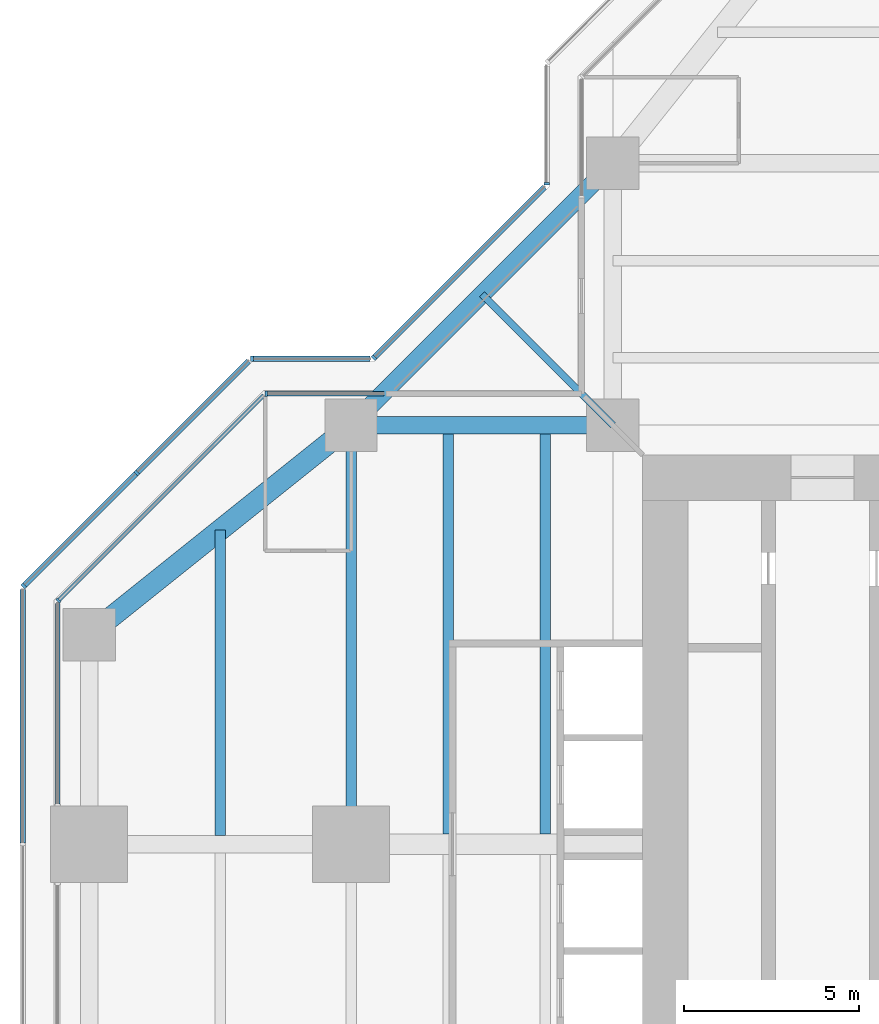
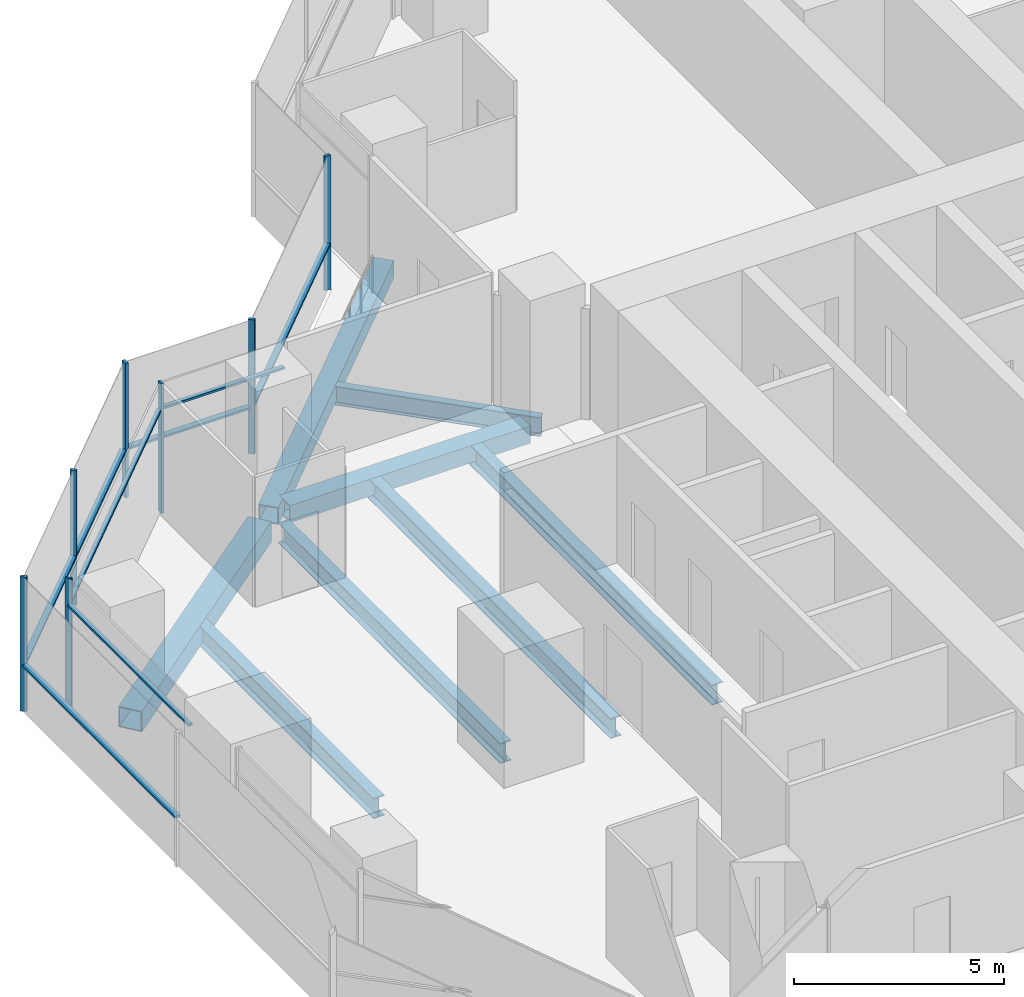
# One storey, part 6 of 17: 15 members, 8 beams, 8 elements without a shape of their own.
"""IFC4 building model written with IfcOpenShell, lengths in metres."""

from ifc_helpers import new_model, si_unit, direction, frame, origin, origin_2d, place, context, subcontext, project, spatial, rectangle, hollow_rectangle, i_section, extrude, material, material_profile, profile_set, type_object, element, aggregate, save


model = new_model("IFC4")

# Units and contexts
model_context = context("Model", 3, precision=1e-05, world=origin(), true_north=direction((0.0, 1.0)))
body_context = subcontext(model_context, "Body", "Model", "MODEL_VIEW")
ifc_project = project(units=[si_unit("LENGTHUNIT", "METRE"), si_unit("AREAUNIT", "SQUARE_METRE"), si_unit("VOLUMEUNIT", "CUBIC_METRE"), si_unit("PLANEANGLEUNIT", "RADIAN"), si_unit("MASSUNIT", "GRAM", prefix="KILO")], contexts=[model_context])

# Site, building, storey
site_placement = place(None, origin())
site = spatial("IfcSite", under=ifc_project, at=site_placement, CompositionType="ELEMENT")
building_placement = place(site_placement, origin())
building = spatial("IfcBuilding", under=site, at=building_placement, Name="Mizan Broadcast Tower", CompositionType="ELEMENT")
storey_placement = place(building_placement, frame((0.0, 0.0, 212.699951171875)))
storey = spatial("IfcBuildingStorey", under=building, at=storey_placement, Name="L49", CompositionType="ELEMENT", Elevation=212.699951171875)

# Beams
ifc_material_1 = material(Name="Steel S355", Category="steel")
ifc_material_profile_1 = material_profile(ifc_material_1, hollow_rectangle(XDim=0.5, YDim=0.5, WallThickness=0.030029296875, at=origin_2d()), Name="BOX 500x500x30")
ifc_profile_set_1 = profile_set([ifc_material_profile_1], Name="Steel S355")
beam_type_1 = type_object("IfcBeamType", Name="EDGE BEAM BOX 500x500x30", PredefinedType="SPANDREL", material=ifc_profile_set_1)
beam_1_placement = place(storey_placement, frame((-12.449951171875, 12.0, -0.3798828125), z_axis=(-1.0, 0.0, 0.0), x_axis=(0.0, -1.0, 0.0)))
element("IfcBeam", 1, at=beam_1_placement, inside=storey, type_object=beam_type_1, Name="Edge beam BOX 500x500x30 L49 west arm", PredefinedType="SPANDREL", context=body_context, shape_type="SweptSolid", body=[
    extrude(hollow_rectangle(XDim=0.5, YDim=0.5, WallThickness=0.030029296875, at=origin_2d()), origin(), (0.0, 0.0, 1.0), 6.60009765625),
])
beam_2_placement = place(storey_placement, frame((-12.0, 19.5, -0.3798828125), z_axis=(-0.707106781187, -0.707106781187, 0.0), x_axis=(0.707106781187, -0.707106781187, 0.0)))
element("IfcBeam", 2, at=beam_2_placement, inside=storey, type_object=beam_type_1, Name="Winter garden edge beam L49 N", PredefinedType="SPANDREL", context=body_context, shape_type="SweptSolid", body=[
    extrude(hollow_rectangle(XDim=0.5, YDim=0.5, WallThickness=0.030029296875, at=origin_2d()), origin(), (0.0, 0.0, 1.0), 10.606689453125),
])
ifc_material_2 = material(Name="Steel S355", Category="steel")
ifc_material_profile_2 = material_profile(ifc_material_2, hollow_rectangle(XDim=0.60009765625, YDim=0.60009765625, WallThickness=0.030029296875, at=origin_2d()), Name="BOX 600x600x30")
ifc_profile_set_2 = profile_set([ifc_material_profile_2], Name="Steel S355")
beam_type_2 = type_object("IfcBeamType", Name="EDGE BEAM BOX 600x600x30", PredefinedType="SPANDREL", material=ifc_profile_set_2)
beam_3_placement = place(storey_placement, frame((-19.949951171875, 11.639892578125, -0.429931640625), z_axis=(-0.780885717636, -0.624673911726, 0.0), x_axis=(0.624673911726, -0.780885717636, 0.0)))
element("IfcBeam", 3, at=beam_3_placement, inside=storey, type_object=beam_type_2, Name="Edge beam BOX 600x600x30 L49 west arm", PredefinedType="SPANDREL", context=body_context, shape_type="SweptSolid", body=[
    extrude(hollow_rectangle(XDim=0.60009765625, YDim=0.60009765625, WallThickness=0.030029296875, at=origin_2d()), origin(), (0.0, 0.0, 1.0), 8.4521484375),
])
ifc_material_3 = material(Name="Steel S355", Category="steel")
ifc_material_profile_3 = material_profile(ifc_material_3, i_section(OverallWidth=0.300048828125, OverallDepth=0.590087890625, WebThickness=0.012939453125, FlangeThickness=0.02490234375, FilletRadius=0.027099609375, at=origin_2d()), Name="HEA 600")
ifc_profile_set_3 = profile_set([ifc_material_profile_3], Name="Steel S355")
beam_type_3 = type_object("IfcBeamType", Name="GIRDER HEA 600", PredefinedType="BEAM", material=ifc_profile_set_3)
beam_4_placement = place(storey_placement, frame((-19.5, 11.280029296875, -0.425048828125), z_axis=(0.0, -1.0, 0.0), x_axis=(1.0, 0.0, 0.0)))
element("IfcBeam", 4, at=beam_4_placement, inside=storey, type_object=beam_type_3, Name="Girder HEA 600 L49 west arm", PredefinedType="BEAM", context=body_context, shape_type="SweptSolid", body=[
    extrude(i_section(OverallWidth=0.300048828125, OverallDepth=0.590087890625, WebThickness=0.012939453125, FlangeThickness=0.02490234375, FilletRadius=0.027099609375, at=origin_2d()), origin(), (0.0, 0.0, 1.0), 10.56005859375),
])

# Curtain wall, member
ifc_material_4 = material(Name="Aluminium framed glazing", Category="aluminium")
curtain_wall_type_1 = type_object("IfcCurtainWallType", Name="INNER SKIN HIGH ZONE", PredefinedType="USERDEFINED", material=ifc_material_4)
curtain_wall_1_placement = place(storey_placement, origin())
curtain_wall_1 = element("IfcCurtainWall", 5, at=curtain_wall_1_placement, inside=storey, type_object=curtain_wall_type_1, Name="Inner skin high zone L49 W side", ObjectType="INNER SKIN HIGH ZONE", PredefinedType="USERDEFINED")
ifc_material_5 = material(Name="Aluminium, pale anodised", Category="aluminium")
ifc_material_profile_4 = material_profile(ifc_material_5, rectangle(XDim=0.159912109375, YDim=0.06005859375, at=origin_2d()), Name="MULLION 160x60")
ifc_profile_set_4 = profile_set([ifc_material_profile_4], Name="Aluminium, pale anodised")
member_type_1 = type_object("IfcMemberType", Name="INNER SKIN MULLION 60x160", PredefinedType="MULLION", material=ifc_profile_set_4)
member_1_placement = place(storey_placement, frame((-21.928466796875, 12.89990234375, 0.0), z_axis=(0.0, 0.0, 1.0), x_axis=(0.0, -1.0, 0.0)))
member_1 = element("IfcMember", 6, at=member_1_placement, type_object=member_type_1, Name="Inner skin high zone L49 W side mullion 2", PredefinedType="MULLION", context=body_context, shape_type="SweptSolid", body=[
    extrude(rectangle(XDim=0.159912109375, YDim=0.06005859375, at=origin_2d()), origin(), (0.0, 0.0, 1.0), 3.77001953125),
])

curtain_wall_2_placement = place(storey_placement, origin())
curtain_wall_2 = element("IfcCurtainWall", 7, at=curtain_wall_2_placement, inside=storey, type_object=curtain_wall_type_1, Name="Inner skin high zone L49 W chamfer", ObjectType="INNER SKIN HIGH ZONE", PredefinedType="USERDEFINED")
member_2_placement = place(storey_placement, frame((-27.87890625, 6.979736328125, 0.0), z_axis=(0.0, 0.0, 1.0), x_axis=(0.707106781187, -0.707106781187, 0.0)))
member_2 = element("IfcMember", 8, at=member_2_placement, type_object=member_type_1, Name="Inner skin high zone L49 W chamfer mullion 2", PredefinedType="MULLION", context=body_context, shape_type="SweptSolid", body=[
    extrude(rectangle(XDim=0.159912109375, YDim=0.06005859375, at=origin_2d()), origin(), (0.0, 0.0, 1.0), 3.77001953125),
])

# Member
ifc_material_6 = material(Name="Aluminium, pale anodised", Category="aluminium")
ifc_material_profile_5 = material_profile(ifc_material_6, rectangle(XDim=0.1201171875, YDim=0.06005859375, at=origin_2d()), Name="TRANSOM 120x60")
ifc_profile_set_5 = profile_set([ifc_material_profile_5], Name="Aluminium, pale anodised")
member_type_2 = type_object("IfcMemberType", Name="INNER SKIN TRANSOM 60x120", PredefinedType="USERDEFINED", material=ifc_profile_set_5)
member_3_placement = place(storey_placement, frame((-18.56005859375, 12.89990234375, 3.030029296875), z_axis=(-1.0, 0.0, 0.0), x_axis=(0.0, -1.0, 0.0)))
member_3 = element("IfcMember", 9, at=member_3_placement, type_object=member_type_2, Name="Inner skin high zone L49 W side transom 1.1", ObjectType="TRANSOM", PredefinedType="USERDEFINED", context=body_context, shape_type="SweptSolid", body=[
    extrude(rectangle(XDim=0.1201171875, YDim=0.06005859375, at=origin_2d()), origin(), (0.0, 0.0, 1.0), 3.338623046875),
])

aggregate(curtain_wall_1, [member_1, member_3])

member_4_placement = place(storey_placement, frame((-22.0009765625, 12.857666015625, 3.030029296875), z_axis=(-0.707106781187, -0.707106781187, 0.0), x_axis=(0.707106781187, -0.707106781187, 0.0)))
member_4 = element("IfcMember", 10, at=member_4_placement, type_object=member_type_2, Name="Inner skin high zone L49 W chamfer transom 1.1", ObjectType="TRANSOM", PredefinedType="USERDEFINED", context=body_context, shape_type="SweptSolid", body=[
    extrude(rectangle(XDim=0.1201171875, YDim=0.06005859375, at=origin_2d()), origin(), (0.0, 0.0, 1.0), 8.28271484375),
])

aggregate(curtain_wall_2, [member_2, member_4])

# Curtain wall, member
curtain_wall_3_placement = place(storey_placement, origin())
curtain_wall_3 = element("IfcCurtainWall", 11, at=curtain_wall_3_placement, inside=storey, type_object=curtain_wall_type_1, Name="Inner skin high zone L49 W end", ObjectType="INNER SKIN HIGH ZONE", PredefinedType="USERDEFINED")
member_5_placement = place(storey_placement, frame((-27.89990234375, 6.898681640625, 3.030029296875), z_axis=(0.0, -1.0, 0.0), x_axis=(1.0, 0.0, 0.0)))
member_5 = element("IfcMember", 12, at=member_5_placement, type_object=member_type_2, Name="Inner skin high zone L49 W end transom 1.1", ObjectType="TRANSOM", PredefinedType="USERDEFINED", context=body_context, shape_type="SweptSolid", body=[
    extrude(rectangle(XDim=0.1201171875, YDim=0.06005859375, at=origin_2d()), origin(), (0.0, 0.0, 1.0), 5.73876953125),
])
aggregate(curtain_wall_3, [member_5])

ifc_material_7 = material(Name="Aluminium framed glazing", Category="aluminium")
curtain_wall_type_2 = type_object("IfcCurtainWallType", Name="OUTER SKIN", PredefinedType="USERDEFINED", material=ifc_material_7)
curtain_wall_4_placement = place(storey_placement, origin())
curtain_wall_4 = element("IfcCurtainWall", 13, at=curtain_wall_4_placement, inside=storey, type_object=curtain_wall_type_2, Name="Outer skin L49 N side", ObjectType="OUTER SKIN", PredefinedType="USERDEFINED")
ifc_material_8 = material(Name="Aluminium, pale anodised", Category="aluminium")
ifc_material_profile_6 = material_profile(ifc_material_8, rectangle(XDim=0.159912109375, YDim=0.080078125, at=origin_2d()), Name="MULLION 160x80")
ifc_profile_set_6 = profile_set([ifc_material_profile_6], Name="Aluminium, pale anodised")
member_type_3 = type_object("IfcMemberType", Name="OUTER SKIN MULLION 80x160", PredefinedType="MULLION", material=ifc_profile_set_6)
member_6_placement = place(storey_placement, frame((-13.89990234375, 18.912841796875, 0.0), z_axis=(0.0, 0.0, 1.0), x_axis=(1.0, 0.0, 0.0)))
member_6 = element("IfcMember", 14, at=member_6_placement, type_object=member_type_3, Name="Outer skin L49 N side mullion 2", PredefinedType="MULLION", context=body_context, shape_type="SweptSolid", body=[
    extrude(rectangle(XDim=0.159912109375, YDim=0.080078125, at=origin_2d()), origin(), (0.0, 0.0, 1.0), 3.900146484375),
])
aggregate(curtain_wall_4, [member_6])

curtain_wall_5_placement = place(storey_placement, origin())
curtain_wall_5 = element("IfcCurtainWall", 15, at=curtain_wall_5_placement, inside=storey, type_object=curtain_wall_type_2, Name="Outer skin L49 W chamfer", ObjectType="OUTER SKIN", PredefinedType="USERDEFINED")
member_7_placement = place(storey_placement, frame((-18.844482421875, 13.92822265625, 0.0), z_axis=(0.0, 0.0, 1.0), x_axis=(0.707106781187, -0.707106781187, 0.0)))
member_7 = element("IfcMember", 16, at=member_7_placement, type_object=member_type_3, Name="Outer skin L49 W chamfer mullion 2", PredefinedType="MULLION", context=body_context, shape_type="SweptSolid", body=[
    extrude(rectangle(XDim=0.159912109375, YDim=0.080078125, at=origin_2d()), origin(), (0.0, 0.0, 1.0), 3.900146484375),
])

curtain_wall_6_placement = place(storey_placement, origin())
curtain_wall_6 = element("IfcCurtainWall", 17, at=curtain_wall_6_placement, inside=storey, type_object=curtain_wall_type_2, Name="Outer skin L49 W side", ObjectType="OUTER SKIN", PredefinedType="USERDEFINED")
member_8_placement = place(storey_placement, frame((-22.332763671875, 13.89990234375, 0.0), z_axis=(0.0, 0.0, 1.0), x_axis=(0.0, -1.0, 0.0)))
member_8 = element("IfcMember", 18, at=member_8_placement, type_object=member_type_3, Name="Outer skin L49 W side mullion 2", PredefinedType="MULLION", context=body_context, shape_type="SweptSolid", body=[
    extrude(rectangle(XDim=0.159912109375, YDim=0.080078125, at=origin_2d()), origin(), (0.0, 0.0, 1.0), 3.900146484375),
])

# Curtain wall, members
curtain_wall_7_placement = place(storey_placement, origin())
curtain_wall_7 = element("IfcCurtainWall", 19, at=curtain_wall_7_placement, inside=storey, type_object=curtain_wall_type_2, Name="Outer skin L49 W chamfer", ObjectType="OUTER SKIN", PredefinedType="USERDEFINED")
member_9_placement = place(storey_placement, frame((-25.636474609375, 10.636474609375, 0.0), z_axis=(0.0, 0.0, 1.0), x_axis=(0.707106781187, -0.707106781187, 0.0)))
member_9 = element("IfcMember", 20, at=member_9_placement, type_object=member_type_3, Name="Outer skin L49 W chamfer mullion 2", PredefinedType="MULLION", context=body_context, shape_type="SweptSolid", body=[
    extrude(rectangle(XDim=0.159912109375, YDim=0.080078125, at=origin_2d()), origin(), (0.0, 0.0, 1.0), 3.900146484375),
])
member_10_placement = place(storey_placement, frame((-28.871826171875, 7.401123046875, 0.0), z_axis=(0.0, 0.0, 1.0), x_axis=(0.707106781187, -0.707106781187, 0.0)))
member_10 = element("IfcMember", 21, at=member_10_placement, type_object=member_type_3, Name="Outer skin L49 W chamfer mullion 3", PredefinedType="MULLION", context=body_context, shape_type="SweptSolid", body=[
    extrude(rectangle(XDim=0.159912109375, YDim=0.080078125, at=origin_2d()), origin(), (0.0, 0.0, 1.0), 3.900146484375),
])

# Member
ifc_material_9 = material(Name="Aluminium, pale anodised", Category="aluminium")
ifc_material_profile_7 = material_profile(ifc_material_9, rectangle(XDim=0.159912109375, YDim=0.06005859375, at=origin_2d()), Name="TRANSOM 160x60")
ifc_profile_set_7 = profile_set([ifc_material_profile_7], Name="Aluminium, pale anodised")
member_type_4 = type_object("IfcMemberType", Name="OUTER SKIN TRANSOM 60x160", PredefinedType="USERDEFINED", material=ifc_profile_set_7)
member_11_placement = place(storey_placement, frame((-13.95654296875, 18.816162109375, 1.400146484375), z_axis=(-0.707106781187, -0.707106781187, 0.0), x_axis=(0.707106781187, -0.707106781187, 0.0)))
member_11 = element("IfcMember", 22, at=member_11_placement, type_object=member_type_4, Name="Outer skin L49 W chamfer transom 1.1", ObjectType="TRANSOM", PredefinedType="USERDEFINED", context=body_context, shape_type="SweptSolid", body=[
    extrude(rectangle(XDim=0.159912109375, YDim=0.06005859375, at=origin_2d()), origin(), (0.0, 0.0, 1.0), 6.87255859375),
])

aggregate(curtain_wall_5, [member_7, member_11])

member_12_placement = place(storey_placement, frame((-18.952880859375, 13.89990234375, 1.400146484375), z_axis=(-1.0, 0.0, 0.0), x_axis=(0.0, -1.0, 0.0)))
member_12 = element("IfcMember", 23, at=member_12_placement, type_object=member_type_4, Name="Outer skin L49 W side transom 1.1", ObjectType="TRANSOM", PredefinedType="USERDEFINED", context=body_context, shape_type="SweptSolid", body=[
    extrude(rectangle(XDim=0.159912109375, YDim=0.06005859375, at=origin_2d()), origin(), (0.0, 0.0, 1.0), 3.33984375),
])

aggregate(curtain_wall_6, [member_8, member_12])

member_13_placement = place(storey_placement, frame((-22.429443359375, 13.843505859375, 1.400146484375), z_axis=(-0.707106781187, -0.707106781187, 0.0), x_axis=(0.707106781187, -0.707106781187, 0.0)))
member_13 = element("IfcMember", 24, at=member_13_placement, type_object=member_type_4, Name="Outer skin L49 W chamfer transom 1.1", ObjectType="TRANSOM", PredefinedType="USERDEFINED", context=body_context, shape_type="SweptSolid", body=[
    extrude(rectangle(XDim=0.159912109375, YDim=0.06005859375, at=origin_2d()), origin(), (0.0, 0.0, 1.0), 4.495361328125),
])

member_14_placement = place(storey_placement, frame((-25.664794921875, 10.608154296875, 1.400146484375), z_axis=(-0.707106781187, -0.707106781187, 0.0), x_axis=(0.707106781187, -0.707106781187, 0.0)))
member_14 = element("IfcMember", 25, at=member_14_placement, type_object=member_type_4, Name="Outer skin L49 W chamfer transom 2.1", ObjectType="TRANSOM", PredefinedType="USERDEFINED", context=body_context, shape_type="SweptSolid", body=[
    extrude(rectangle(XDim=0.159912109375, YDim=0.06005859375, at=origin_2d()), origin(), (0.0, 0.0, 1.0), 4.495361328125),
])

aggregate(curtain_wall_7, [member_9, member_10, member_13, member_14])

# Curtain wall, member
curtain_wall_8_placement = place(storey_placement, origin())
curtain_wall_8 = element("IfcCurtainWall", 26, at=curtain_wall_8_placement, inside=storey, type_object=curtain_wall_type_2, Name="Outer skin L49 W end", ObjectType="OUTER SKIN", PredefinedType="USERDEFINED")
member_15_placement = place(storey_placement, frame((-28.89990234375, 7.292724609375, 1.400146484375), z_axis=(0.0, -1.0, 0.0), x_axis=(1.0, 0.0, 0.0)))
member_15 = element("IfcMember", 27, at=member_15_placement, type_object=member_type_4, Name="Outer skin L49 W end transom 1.1", ObjectType="TRANSOM", PredefinedType="USERDEFINED", context=body_context, shape_type="SweptSolid", body=[
    extrude(rectangle(XDim=0.159912109375, YDim=0.06005859375, at=origin_2d()), origin(), (0.0, 0.0, 1.0), 7.252685546875),
])
aggregate(curtain_wall_8, [member_15])

# Beams
ifc_material_10 = material(Name="Steel S355", Category="steel")
ifc_material_profile_8 = material_profile(ifc_material_10, i_section(OverallWidth=0.300048828125, OverallDepth=0.590087890625, WebThickness=0.012939453125, FlangeThickness=0.02490234375, FilletRadius=0.027099609375, at=origin_2d()), Name="HEA 600")
ifc_profile_set_8 = profile_set([ifc_material_profile_8], Name="Steel S355")
beam_type_4 = type_object("IfcBeamType", Name="SECONDARY BEAM HEA 600", PredefinedType="JOIST", material=ifc_profile_set_8)
for number, where, z_axis, x_axis, name in (
    (28, (-13.933349609375, 12.0, -0.425048828125), (0.0, -1.0, 0.0), (1.0, 0.0, 0.0), "Secondary beam HEA 600 L49 west arm"),
    (29, (-16.716552734375, 12.0, -0.425048828125), (0.0, -1.0, 0.0), (1.0, 0.0, 0.0), "Secondary beam HEA 600 L49 west arm"),
):
    element("IfcBeam", number, at=place(storey_placement, frame(where, z_axis=z_axis, x_axis=x_axis)), inside=storey, type_object=beam_type_4, Name=name, PredefinedType="JOIST", context=body_context, shape_type="SweptSolid", body=[
        extrude(i_section(OverallWidth=0.300048828125, OverallDepth=0.590087890625, WebThickness=0.012939453125, FlangeThickness=0.02490234375, FilletRadius=0.027099609375, at=origin_2d()), origin(), (0.0, 0.0, 1.0), 11.699951171875),
    ])
beam_5_placement = place(storey_placement, frame((-23.25, 9.0, -0.425048828125), z_axis=(0.0, -1.0, 0.0), x_axis=(1.0, 0.0, 0.0)))
element("IfcBeam", 30, at=beam_5_placement, inside=storey, type_object=beam_type_4, Name="Secondary beam HEA 600 L49 west arm", PredefinedType="JOIST", context=body_context, shape_type="SweptSolid", body=[
    extrude(i_section(OverallWidth=0.300048828125, OverallDepth=0.590087890625, WebThickness=0.012939453125, FlangeThickness=0.02490234375, FilletRadius=0.027099609375, at=origin_2d()), origin(), (0.0, 0.0, 1.0), 8.75),
])
ifc_material_11 = material(Name="Steel S355", Category="steel")
ifc_material_profile_9 = material_profile(ifc_material_11, i_section(OverallWidth=0.2099609375, OverallDepth=0.550048828125, WebThickness=0.010986328125, FlangeThickness=0.01708984375, FilletRadius=0.02392578125, at=origin_2d()), Name="IPE 550")
ifc_profile_set_9 = profile_set([ifc_material_profile_9], Name="Steel S355")
beam_type_5 = type_object("IfcBeamType", Name="SECONDARY BEAM IPE 550", PredefinedType="JOIST", material=ifc_profile_set_9)
beam_6_placement = place(storey_placement, frame((-12.0, 12.0, -0.405029296875), z_axis=(-0.707106781187, 0.707106781187, 0.0), x_axis=(-0.707106781187, -0.707106781187, 0.0)))
element("IfcBeam", 31, at=beam_6_placement, inside=storey, type_object=beam_type_5, Name="Winter garden beam L49 N", PredefinedType="JOIST", context=body_context, shape_type="SweptSolid", body=[
    extrude(i_section(OverallWidth=0.2099609375, OverallDepth=0.550048828125, WebThickness=0.010986328125, FlangeThickness=0.01708984375, FilletRadius=0.02392578125, at=origin_2d()), origin(), (0.0, 0.0, 1.0), 5.30322265625),
])

save(model, "model.ifc")
